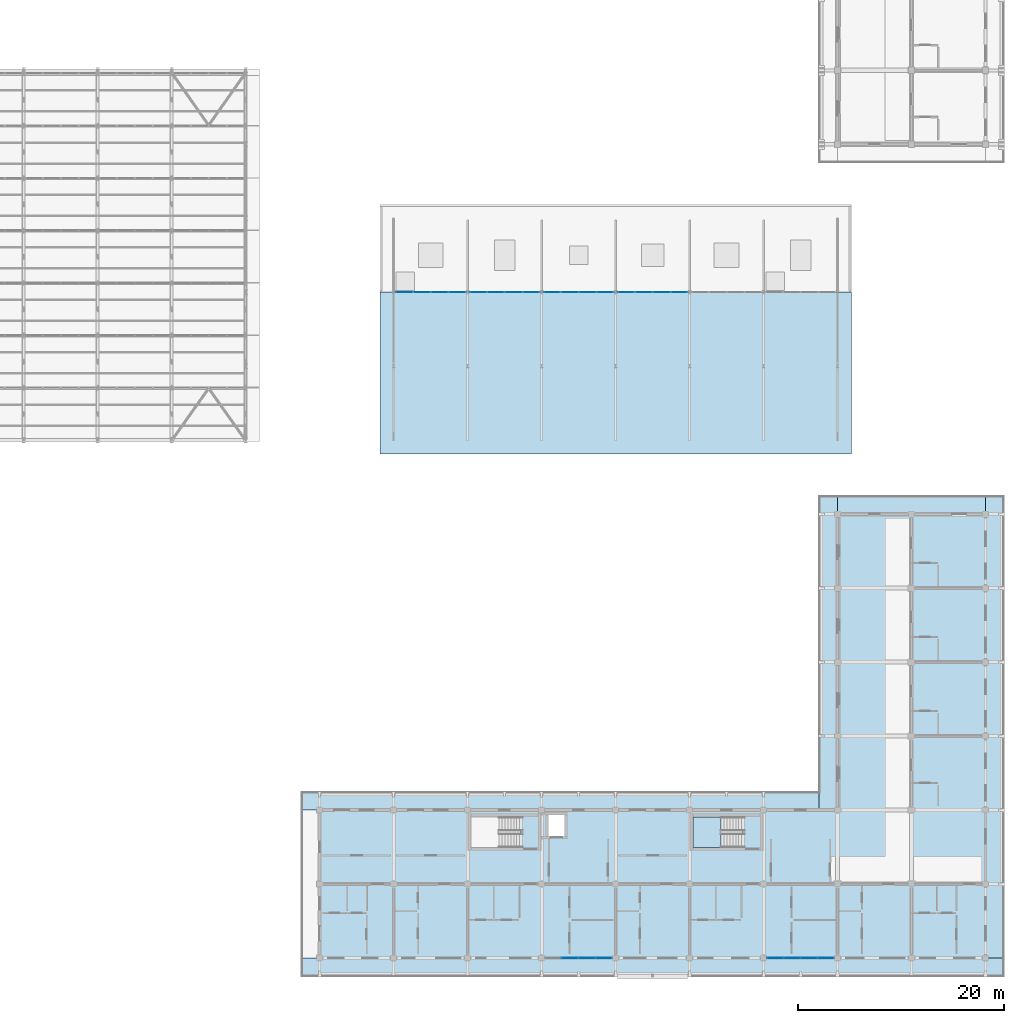
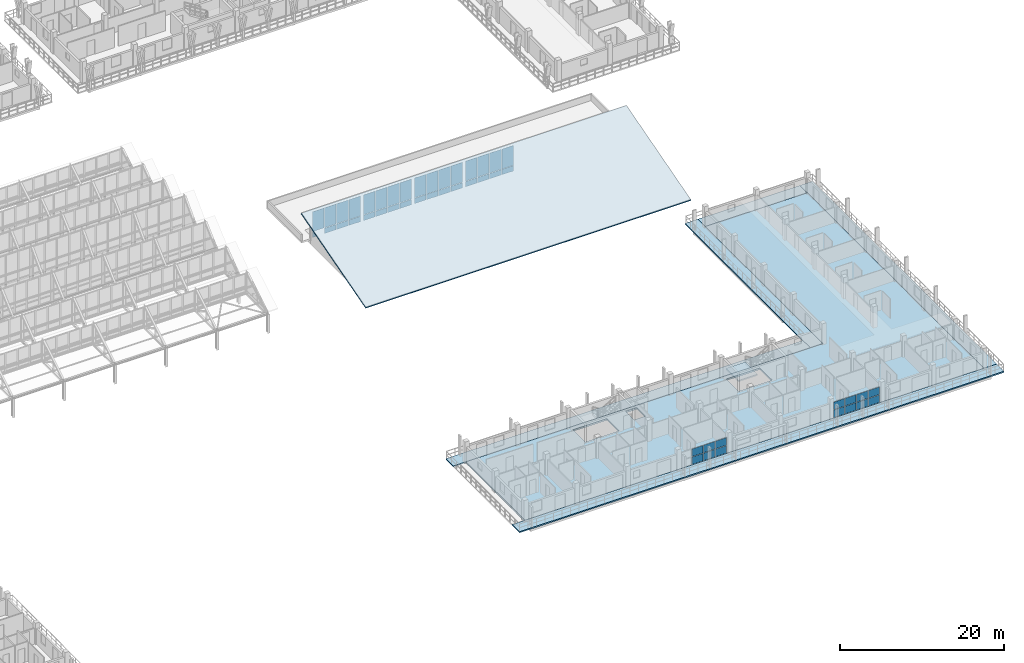
# One storey, part 105 of 157: 46 plates, 8 slabs, 7 elements without a shape of their own.
"""IFC4 building model written with IfcOpenShell, lengths in metres."""

from ifc_helpers import new_model, si_unit, direction, frame, origin, origin_2d, place, context, subcontext, project, spatial, polyline, rectangle, outline, extrude, material, layer, layer_set, type_object, element, aggregate, save


model = new_model("IFC4")

# Units and contexts
model_context = context("Model", 3, precision=1e-05, world=origin(), true_north=direction((0.0, 1.0)))
body_context = subcontext(model_context, "Body", "Model", "MODEL_VIEW")
ifc_project = project(units=[si_unit("LENGTHUNIT", "METRE"), si_unit("AREAUNIT", "SQUARE_METRE"), si_unit("VOLUMEUNIT", "CUBIC_METRE"), si_unit("PLANEANGLEUNIT", "RADIAN"), si_unit("MASSUNIT", "GRAM", prefix="KILO")], contexts=[model_context])

# Site, building, storey
site_placement = place(None, origin())
site = spatial("IfcSite", under=ifc_project, at=site_placement, CompositionType="ELEMENT")
building_placement = place(site_placement, origin())
building = spatial("IfcBuilding", under=site, at=building_placement, Name="Suanplinth Sawtooth Commons", CompositionType="ELEMENT")
storey_placement = place(building_placement, frame((0.0, 0.0, 9.0)))
storey = spatial("IfcBuildingStorey", under=building, at=storey_placement, Name="L02", CompositionType="ELEMENT", Elevation=9.0)

# Curtain wall, plates
ifc_material_1 = material(Name="Anodized aluminium and low-E glazing", Category="aluminium")
curtain_wall_type_1 = type_object("IfcCurtainWallType", Name="CW-06", PredefinedType="USERDEFINED", material=ifc_material_1)
curtain_wall_1_placement = place(storey_placement, origin())
curtain_wall_1 = element("IfcCurtainWall", 1, at=curtain_wall_1_placement, inside=storey, type_object=curtain_wall_type_1, Name="Curtain Wall CW-L02-C-LOUNGE-20", ObjectType="CURTAIN WALL", PredefinedType="USERDEFINED")
ifc_material_2 = material(Name="Tempered low-E double glazing", Category="glass")
ifc_layer_1 = layer(ifc_material_2, 0.028076171875, Name="Vision low-E insulated glazing unit 28mm")
ifc_layer_set_1 = layer_set([ifc_layer_1], Name="Tempered low-E double glazing")
plate_type_1 = type_object("IfcPlateType", Name="PL-05", PredefinedType="CURTAIN_PANEL", material=ifc_layer_set_1)
plate_1_placement = place(storey_placement, frame((146.77490234375, 0.0, 0.06494140625), z_axis=(0.0, 0.0, 1.0), x_axis=(1.0, 0.0, 0.0)))
plate_1 = element("IfcPlate", 2, at=plate_1_placement, type_object=plate_type_1, Name="CW-06 panel 2.1", PredefinedType="CURTAIN_PANEL", context=body_context, shape_type="SweptSolid", body=[
    extrude(rectangle(XDim=1.5849609375, YDim=0.028076171875, at=origin_2d()), origin(), (0.0, 0.0, 1.0), 1.12255859375),
])
plate_2_placement = place(storey_placement, frame((146.77490234375, 0.0, 1.25244140625), z_axis=(0.0, 0.0, 1.0), x_axis=(1.0, 0.0, 0.0)))
plate_2 = element("IfcPlate", 3, at=plate_2_placement, type_object=plate_type_1, Name="CW-06 panel 2.2", PredefinedType="CURTAIN_PANEL", context=body_context, shape_type="SweptSolid", body=[
    extrude(rectangle(XDim=1.5849609375, YDim=0.028076171875, at=origin_2d()), origin(), (0.0, 0.0, 1.0), 1.12255859375),
])
plate_3_placement = place(storey_placement, frame((148.425048828125, 0.0, 0.06494140625), z_axis=(0.0, 0.0, 1.0), x_axis=(1.0, 0.0, 0.0)))
plate_3 = element("IfcPlate", 4, at=plate_3_placement, type_object=plate_type_1, Name="CW-06 panel 3.1", PredefinedType="CURTAIN_PANEL", context=body_context, shape_type="SweptSolid", body=[
    extrude(rectangle(XDim=1.5849609375, YDim=0.028076171875, at=origin_2d()), origin(), (0.0, 0.0, 1.0), 1.12255859375),
])
plate_4_placement = place(storey_placement, frame((148.425048828125, 0.0, 1.25244140625), z_axis=(0.0, 0.0, 1.0), x_axis=(1.0, 0.0, 0.0)))
plate_4 = element("IfcPlate", 5, at=plate_4_placement, type_object=plate_type_1, Name="CW-06 panel 3.2", PredefinedType="CURTAIN_PANEL", context=body_context, shape_type="SweptSolid", body=[
    extrude(rectangle(XDim=1.5849609375, YDim=0.028076171875, at=origin_2d()), origin(), (0.0, 0.0, 1.0), 1.12255859375),
])
plate_5_placement = place(storey_placement, frame((150.058837890625, 0.0, 0.06494140625), z_axis=(0.0, 0.0, 1.0), x_axis=(1.0, 0.0, 0.0)))
plate_5 = element("IfcPlate", 6, at=plate_5_placement, type_object=plate_type_1, Name="CW-06 panel 4.1", PredefinedType="CURTAIN_PANEL", context=body_context, shape_type="SweptSolid", body=[
    extrude(rectangle(XDim=1.552490234375, YDim=0.028076171875, at=origin_2d()), origin(), (0.0, 0.0, 1.0), 1.12255859375),
])
plate_6_placement = place(storey_placement, frame((150.058837890625, 0.0, 1.25244140625), z_axis=(0.0, 0.0, 1.0), x_axis=(1.0, 0.0, 0.0)))
plate_6 = element("IfcPlate", 7, at=plate_6_placement, type_object=plate_type_1, Name="CW-06 panel 4.2", PredefinedType="CURTAIN_PANEL", context=body_context, shape_type="SweptSolid", body=[
    extrude(rectangle(XDim=1.552490234375, YDim=0.028076171875, at=origin_2d()), origin(), (0.0, 0.0, 1.0), 1.12255859375),
])
aggregate(curtain_wall_1, [plate_1, plate_2, plate_3, plate_4, plate_5, plate_6])

curtain_wall_2_placement = place(storey_placement, origin())
curtain_wall_2 = element("IfcCurtainWall", 8, at=curtain_wall_2_placement, inside=storey, type_object=curtain_wall_type_1, Name="Curtain Wall CW-L02-C-LOUNGE-23", ObjectType="CURTAIN WALL", PredefinedType="USERDEFINED")
plate_7_placement = place(storey_placement, frame((166.7412109375, 0.0, 0.06494140625), z_axis=(0.0, 0.0, 1.0), x_axis=(1.0, 0.0, 0.0)))
plate_7 = element("IfcPlate", 9, at=plate_7_placement, type_object=plate_type_1, Name="CW-06 panel 1.1", PredefinedType="CURTAIN_PANEL", context=body_context, shape_type="SweptSolid", body=[
    extrude(rectangle(XDim=1.552490234375, YDim=0.028076171875, at=origin_2d()), origin(), (0.0, 0.0, 1.0), 1.12255859375),
])
plate_8_placement = place(storey_placement, frame((166.7412109375, 0.0, 1.25244140625), z_axis=(0.0, 0.0, 1.0), x_axis=(1.0, 0.0, 0.0)))
plate_8 = element("IfcPlate", 10, at=plate_8_placement, type_object=plate_type_1, Name="CW-06 panel 1.2", PredefinedType="CURTAIN_PANEL", context=body_context, shape_type="SweptSolid", body=[
    extrude(rectangle(XDim=1.552490234375, YDim=0.028076171875, at=origin_2d()), origin(), (0.0, 0.0, 1.0), 1.12255859375),
])
plate_9_placement = place(storey_placement, frame((168.375, 0.0, 0.06494140625), z_axis=(0.0, 0.0, 1.0), x_axis=(1.0, 0.0, 0.0)))
plate_9 = element("IfcPlate", 11, at=plate_9_placement, type_object=plate_type_1, Name="CW-06 panel 2.1", PredefinedType="CURTAIN_PANEL", context=body_context, shape_type="SweptSolid", body=[
    extrude(rectangle(XDim=1.5849609375, YDim=0.028076171875, at=origin_2d()), origin(), (0.0, 0.0, 1.0), 1.12255859375),
])
plate_10_placement = place(storey_placement, frame((168.375, 0.0, 1.25244140625), z_axis=(0.0, 0.0, 1.0), x_axis=(1.0, 0.0, 0.0)))
plate_10 = element("IfcPlate", 12, at=plate_10_placement, type_object=plate_type_1, Name="CW-06 panel 2.2", PredefinedType="CURTAIN_PANEL", context=body_context, shape_type="SweptSolid", body=[
    extrude(rectangle(XDim=1.5849609375, YDim=0.028076171875, at=origin_2d()), origin(), (0.0, 0.0, 1.0), 1.12255859375),
])
plate_11_placement = place(storey_placement, frame((170.02490234375, 0.0, 0.06494140625), z_axis=(0.0, 0.0, 1.0), x_axis=(1.0, 0.0, 0.0)))
plate_11 = element("IfcPlate", 13, at=plate_11_placement, type_object=plate_type_1, Name="CW-06 panel 3.1", PredefinedType="CURTAIN_PANEL", context=body_context, shape_type="SweptSolid", body=[
    extrude(rectangle(XDim=1.5849609375, YDim=0.028076171875, at=origin_2d()), origin(), (0.0, 0.0, 1.0), 1.12255859375),
])
plate_12_placement = place(storey_placement, frame((170.02490234375, 0.0, 1.25244140625), z_axis=(0.0, 0.0, 1.0), x_axis=(1.0, 0.0, 0.0)))
plate_12 = element("IfcPlate", 14, at=plate_12_placement, type_object=plate_type_1, Name="CW-06 panel 3.2", PredefinedType="CURTAIN_PANEL", context=body_context, shape_type="SweptSolid", body=[
    extrude(rectangle(XDim=1.5849609375, YDim=0.028076171875, at=origin_2d()), origin(), (0.0, 0.0, 1.0), 1.12255859375),
])
plate_13_placement = place(storey_placement, frame((171.65869140625, 0.0, 0.06494140625), z_axis=(0.0, 0.0, 1.0), x_axis=(1.0, 0.0, 0.0)))
plate_13 = element("IfcPlate", 15, at=plate_13_placement, type_object=plate_type_1, Name="CW-06 panel 4.1", PredefinedType="CURTAIN_PANEL", context=body_context, shape_type="SweptSolid", body=[
    extrude(rectangle(XDim=1.552490234375, YDim=0.028076171875, at=origin_2d()), origin(), (0.0, 0.0, 1.0), 1.12255859375),
])
plate_14_placement = place(storey_placement, frame((171.65869140625, 0.0, 1.25244140625), z_axis=(0.0, 0.0, 1.0), x_axis=(1.0, 0.0, 0.0)))
plate_14 = element("IfcPlate", 16, at=plate_14_placement, type_object=plate_type_1, Name="CW-06 panel 4.2", PredefinedType="CURTAIN_PANEL", context=body_context, shape_type="SweptSolid", body=[
    extrude(rectangle(XDim=1.552490234375, YDim=0.028076171875, at=origin_2d()), origin(), (0.0, 0.0, 1.0), 1.12255859375),
])
aggregate(curtain_wall_2, [plate_7, plate_8, plate_9, plate_10, plate_11, plate_12, plate_13, plate_14])

curtain_wall_type_2 = type_object("IfcCurtainWallType", Name="CW-03", PredefinedType="USERDEFINED", material=ifc_material_1)
curtain_wall_3_placement = place(storey_placement, origin())
curtain_wall_3 = element("IfcCurtainWall", 17, at=curtain_wall_3_placement, inside=storey, type_object=curtain_wall_type_2, Name="Curtain Wall CW-NURS-CLER-18", ObjectType="CURTAIN WALL", PredefinedType="USERDEFINED")
ifc_material_3 = material(Name="Diffused north-light laminated glazing", Category="glass")
ifc_layer_2 = layer(ifc_material_3, 0.02587890625, Name="Sawtooth north-light diffused glazing panel 26mm")
ifc_layer_set_2 = layer_set([ifc_layer_2], Name="Diffused north-light laminated glazing")
plate_type_2 = type_object("IfcPlateType", Name="PL-07", PredefinedType="CURTAIN_PANEL", material=ifc_layer_set_2)
plate_15_placement = place(storey_placement, frame((130.621337890625, 64.800048828125, 0.30517578125), z_axis=(0.0, 0.0, 1.0), x_axis=(1.0, 0.0, 0.0)))
plate_15 = element("IfcPlate", 18, at=plate_15_placement, type_object=plate_type_2, Name="CW-03 panel 1.1", PredefinedType="CURTAIN_PANEL", context=body_context, shape_type="SweptSolid", body=[
    extrude(rectangle(XDim=1.632568359375, YDim=0.02587890625, at=origin_2d()), origin(), (0.0, 0.0, 1.0), 0.802490234375),
])
plate_16_placement = place(storey_placement, frame((130.621337890625, 64.800048828125, 1.172607421875), z_axis=(0.0, 0.0, 1.0), x_axis=(1.0, 0.0, 0.0)))
plate_16 = element("IfcPlate", 19, at=plate_16_placement, type_object=plate_type_2, Name="CW-03 panel 1.2", PredefinedType="CURTAIN_PANEL", context=body_context, shape_type="SweptSolid", body=[
    extrude(rectangle(XDim=1.632568359375, YDim=0.02587890625, at=origin_2d()), origin(), (0.0, 0.0, 1.0), 2.96240234375),
])
plate_17_placement = place(storey_placement, frame((132.3349609375, 64.800048828125, 0.30517578125), z_axis=(0.0, 0.0, 1.0), x_axis=(1.0, 0.0, 0.0)))
plate_17 = element("IfcPlate", 20, at=plate_17_placement, type_object=plate_type_2, Name="CW-03 panel 2.1", PredefinedType="CURTAIN_PANEL", context=body_context, shape_type="SweptSolid", body=[
    extrude(rectangle(XDim=1.6650390625, YDim=0.02587890625, at=origin_2d()), origin(), (0.0, 0.0, 1.0), 0.802490234375),
])
plate_18_placement = place(storey_placement, frame((132.3349609375, 64.800048828125, 1.172607421875), z_axis=(0.0, 0.0, 1.0), x_axis=(1.0, 0.0, 0.0)))
plate_18 = element("IfcPlate", 21, at=plate_18_placement, type_object=plate_type_2, Name="CW-03 panel 2.2", PredefinedType="CURTAIN_PANEL", context=body_context, shape_type="SweptSolid", body=[
    extrude(rectangle(XDim=1.6650390625, YDim=0.02587890625, at=origin_2d()), origin(), (0.0, 0.0, 1.0), 2.96240234375),
])
plate_19_placement = place(storey_placement, frame((134.06494140625, 64.800048828125, 0.30517578125), z_axis=(0.0, 0.0, 1.0), x_axis=(1.0, 0.0, 0.0)))
plate_19 = element("IfcPlate", 22, at=plate_19_placement, type_object=plate_type_2, Name="CW-03 panel 3.1", PredefinedType="CURTAIN_PANEL", context=body_context, shape_type="SweptSolid", body=[
    extrude(rectangle(XDim=1.6650390625, YDim=0.02587890625, at=origin_2d()), origin(), (0.0, 0.0, 1.0), 0.802490234375),
])
plate_20_placement = place(storey_placement, frame((134.06494140625, 64.800048828125, 1.172607421875), z_axis=(0.0, 0.0, 1.0), x_axis=(1.0, 0.0, 0.0)))
plate_20 = element("IfcPlate", 23, at=plate_20_placement, type_object=plate_type_2, Name="CW-03 panel 3.2", PredefinedType="CURTAIN_PANEL", context=body_context, shape_type="SweptSolid", body=[
    extrude(rectangle(XDim=1.6650390625, YDim=0.02587890625, at=origin_2d()), origin(), (0.0, 0.0, 1.0), 2.96240234375),
])
plate_21_placement = place(storey_placement, frame((135.77880859375, 64.800048828125, 0.30517578125), z_axis=(0.0, 0.0, 1.0), x_axis=(1.0, 0.0, 0.0)))
plate_21 = element("IfcPlate", 24, at=plate_21_placement, type_object=plate_type_2, Name="CW-03 panel 4.1", PredefinedType="CURTAIN_PANEL", context=body_context, shape_type="SweptSolid", body=[
    extrude(rectangle(XDim=1.632568359375, YDim=0.02587890625, at=origin_2d()), origin(), (0.0, 0.0, 1.0), 0.802490234375),
])
plate_22_placement = place(storey_placement, frame((135.77880859375, 64.800048828125, 1.172607421875), z_axis=(0.0, 0.0, 1.0), x_axis=(1.0, 0.0, 0.0)))
plate_22 = element("IfcPlate", 25, at=plate_22_placement, type_object=plate_type_2, Name="CW-03 panel 4.2", PredefinedType="CURTAIN_PANEL", context=body_context, shape_type="SweptSolid", body=[
    extrude(rectangle(XDim=1.632568359375, YDim=0.02587890625, at=origin_2d()), origin(), (0.0, 0.0, 1.0), 2.96240234375),
])
aggregate(curtain_wall_3, [plate_15, plate_16, plate_17, plate_18, plate_19, plate_20, plate_21, plate_22])

curtain_wall_4_placement = place(storey_placement, origin())
curtain_wall_4 = element("IfcCurtainWall", 26, at=curtain_wall_4_placement, inside=storey, type_object=curtain_wall_type_2, Name="Curtain Wall CW-NURS-CLER-19", ObjectType="CURTAIN WALL", PredefinedType="USERDEFINED")
plate_23_placement = place(storey_placement, frame((137.8212890625, 64.800048828125, 0.30517578125), z_axis=(0.0, 0.0, 1.0), x_axis=(1.0, 0.0, 0.0)))
plate_23 = element("IfcPlate", 27, at=plate_23_placement, type_object=plate_type_2, Name="CW-03 panel 1.1", PredefinedType="CURTAIN_PANEL", context=body_context, shape_type="SweptSolid", body=[
    extrude(rectangle(XDim=1.632568359375, YDim=0.02587890625, at=origin_2d()), origin(), (0.0, 0.0, 1.0), 0.802490234375),
])
plate_24_placement = place(storey_placement, frame((137.8212890625, 64.800048828125, 1.172607421875), z_axis=(0.0, 0.0, 1.0), x_axis=(1.0, 0.0, 0.0)))
plate_24 = element("IfcPlate", 28, at=plate_24_placement, type_object=plate_type_2, Name="CW-03 panel 1.2", PredefinedType="CURTAIN_PANEL", context=body_context, shape_type="SweptSolid", body=[
    extrude(rectangle(XDim=1.632568359375, YDim=0.02587890625, at=origin_2d()), origin(), (0.0, 0.0, 1.0), 2.96240234375),
])
plate_25_placement = place(storey_placement, frame((139.534912109375, 64.800048828125, 0.30517578125), z_axis=(0.0, 0.0, 1.0), x_axis=(1.0, 0.0, 0.0)))
plate_25 = element("IfcPlate", 29, at=plate_25_placement, type_object=plate_type_2, Name="CW-03 panel 2.1", PredefinedType="CURTAIN_PANEL", context=body_context, shape_type="SweptSolid", body=[
    extrude(rectangle(XDim=1.6650390625, YDim=0.02587890625, at=origin_2d()), origin(), (0.0, 0.0, 1.0), 0.802490234375),
])
plate_26_placement = place(storey_placement, frame((139.534912109375, 64.800048828125, 1.172607421875), z_axis=(0.0, 0.0, 1.0), x_axis=(1.0, 0.0, 0.0)))
plate_26 = element("IfcPlate", 30, at=plate_26_placement, type_object=plate_type_2, Name="CW-03 panel 2.2", PredefinedType="CURTAIN_PANEL", context=body_context, shape_type="SweptSolid", body=[
    extrude(rectangle(XDim=1.6650390625, YDim=0.02587890625, at=origin_2d()), origin(), (0.0, 0.0, 1.0), 2.96240234375),
])
plate_27_placement = place(storey_placement, frame((141.264892578125, 64.800048828125, 0.30517578125), z_axis=(0.0, 0.0, 1.0), x_axis=(1.0, 0.0, 0.0)))
plate_27 = element("IfcPlate", 31, at=plate_27_placement, type_object=plate_type_2, Name="CW-03 panel 3.1", PredefinedType="CURTAIN_PANEL", context=body_context, shape_type="SweptSolid", body=[
    extrude(rectangle(XDim=1.6650390625, YDim=0.02587890625, at=origin_2d()), origin(), (0.0, 0.0, 1.0), 0.802490234375),
])
plate_28_placement = place(storey_placement, frame((141.264892578125, 64.800048828125, 1.172607421875), z_axis=(0.0, 0.0, 1.0), x_axis=(1.0, 0.0, 0.0)))
plate_28 = element("IfcPlate", 32, at=plate_28_placement, type_object=plate_type_2, Name="CW-03 panel 3.2", PredefinedType="CURTAIN_PANEL", context=body_context, shape_type="SweptSolid", body=[
    extrude(rectangle(XDim=1.6650390625, YDim=0.02587890625, at=origin_2d()), origin(), (0.0, 0.0, 1.0), 2.96240234375),
])
plate_29_placement = place(storey_placement, frame((142.978759765625, 64.800048828125, 0.30517578125), z_axis=(0.0, 0.0, 1.0), x_axis=(1.0, 0.0, 0.0)))
plate_29 = element("IfcPlate", 33, at=plate_29_placement, type_object=plate_type_2, Name="CW-03 panel 4.1", PredefinedType="CURTAIN_PANEL", context=body_context, shape_type="SweptSolid", body=[
    extrude(rectangle(XDim=1.632568359375, YDim=0.02587890625, at=origin_2d()), origin(), (0.0, 0.0, 1.0), 0.802490234375),
])
plate_30_placement = place(storey_placement, frame((142.978759765625, 64.800048828125, 1.172607421875), z_axis=(0.0, 0.0, 1.0), x_axis=(1.0, 0.0, 0.0)))
plate_30 = element("IfcPlate", 34, at=plate_30_placement, type_object=plate_type_2, Name="CW-03 panel 4.2", PredefinedType="CURTAIN_PANEL", context=body_context, shape_type="SweptSolid", body=[
    extrude(rectangle(XDim=1.632568359375, YDim=0.02587890625, at=origin_2d()), origin(), (0.0, 0.0, 1.0), 2.96240234375),
])
aggregate(curtain_wall_4, [plate_23, plate_24, plate_25, plate_26, plate_27, plate_28, plate_29, plate_30])

curtain_wall_5_placement = place(storey_placement, origin())
curtain_wall_5 = element("IfcCurtainWall", 35, at=curtain_wall_5_placement, inside=storey, type_object=curtain_wall_type_2, Name="Curtain Wall CW-NURS-CLER-20", ObjectType="CURTAIN WALL", PredefinedType="USERDEFINED")
plate_31_placement = place(storey_placement, frame((145.021240234375, 64.800048828125, 0.30517578125), z_axis=(0.0, 0.0, 1.0), x_axis=(1.0, 0.0, 0.0)))
plate_31 = element("IfcPlate", 36, at=plate_31_placement, type_object=plate_type_2, Name="CW-03 panel 1.1", PredefinedType="CURTAIN_PANEL", context=body_context, shape_type="SweptSolid", body=[
    extrude(rectangle(XDim=1.632568359375, YDim=0.02587890625, at=origin_2d()), origin(), (0.0, 0.0, 1.0), 0.802490234375),
])
plate_32_placement = place(storey_placement, frame((145.021240234375, 64.800048828125, 1.172607421875), z_axis=(0.0, 0.0, 1.0), x_axis=(1.0, 0.0, 0.0)))
plate_32 = element("IfcPlate", 37, at=plate_32_placement, type_object=plate_type_2, Name="CW-03 panel 1.2", PredefinedType="CURTAIN_PANEL", context=body_context, shape_type="SweptSolid", body=[
    extrude(rectangle(XDim=1.632568359375, YDim=0.02587890625, at=origin_2d()), origin(), (0.0, 0.0, 1.0), 2.96240234375),
])
plate_33_placement = place(storey_placement, frame((146.735107421875, 64.800048828125, 0.30517578125), z_axis=(0.0, 0.0, 1.0), x_axis=(1.0, 0.0, 0.0)))
plate_33 = element("IfcPlate", 38, at=plate_33_placement, type_object=plate_type_2, Name="CW-03 panel 2.1", PredefinedType="CURTAIN_PANEL", context=body_context, shape_type="SweptSolid", body=[
    extrude(rectangle(XDim=1.6650390625, YDim=0.02587890625, at=origin_2d()), origin(), (0.0, 0.0, 1.0), 0.802490234375),
])
plate_34_placement = place(storey_placement, frame((146.735107421875, 64.800048828125, 1.172607421875), z_axis=(0.0, 0.0, 1.0), x_axis=(1.0, 0.0, 0.0)))
plate_34 = element("IfcPlate", 39, at=plate_34_placement, type_object=plate_type_2, Name="CW-03 panel 2.2", PredefinedType="CURTAIN_PANEL", context=body_context, shape_type="SweptSolid", body=[
    extrude(rectangle(XDim=1.6650390625, YDim=0.02587890625, at=origin_2d()), origin(), (0.0, 0.0, 1.0), 2.96240234375),
])
plate_35_placement = place(storey_placement, frame((148.465087890625, 64.800048828125, 0.30517578125), z_axis=(0.0, 0.0, 1.0), x_axis=(1.0, 0.0, 0.0)))
plate_35 = element("IfcPlate", 40, at=plate_35_placement, type_object=plate_type_2, Name="CW-03 panel 3.1", PredefinedType="CURTAIN_PANEL", context=body_context, shape_type="SweptSolid", body=[
    extrude(rectangle(XDim=1.6650390625, YDim=0.02587890625, at=origin_2d()), origin(), (0.0, 0.0, 1.0), 0.802490234375),
])
plate_36_placement = place(storey_placement, frame((148.465087890625, 64.800048828125, 1.172607421875), z_axis=(0.0, 0.0, 1.0), x_axis=(1.0, 0.0, 0.0)))
plate_36 = element("IfcPlate", 41, at=plate_36_placement, type_object=plate_type_2, Name="CW-03 panel 3.2", PredefinedType="CURTAIN_PANEL", context=body_context, shape_type="SweptSolid", body=[
    extrude(rectangle(XDim=1.6650390625, YDim=0.02587890625, at=origin_2d()), origin(), (0.0, 0.0, 1.0), 2.96240234375),
])
plate_37_placement = place(storey_placement, frame((150.1787109375, 64.800048828125, 0.30517578125), z_axis=(0.0, 0.0, 1.0), x_axis=(1.0, 0.0, 0.0)))
plate_37 = element("IfcPlate", 42, at=plate_37_placement, type_object=plate_type_2, Name="CW-03 panel 4.1", PredefinedType="CURTAIN_PANEL", context=body_context, shape_type="SweptSolid", body=[
    extrude(rectangle(XDim=1.632568359375, YDim=0.02587890625, at=origin_2d()), origin(), (0.0, 0.0, 1.0), 0.802490234375),
])
plate_38_placement = place(storey_placement, frame((150.1787109375, 64.800048828125, 1.172607421875), z_axis=(0.0, 0.0, 1.0), x_axis=(1.0, 0.0, 0.0)))
plate_38 = element("IfcPlate", 43, at=plate_38_placement, type_object=plate_type_2, Name="CW-03 panel 4.2", PredefinedType="CURTAIN_PANEL", context=body_context, shape_type="SweptSolid", body=[
    extrude(rectangle(XDim=1.632568359375, YDim=0.02587890625, at=origin_2d()), origin(), (0.0, 0.0, 1.0), 2.96240234375),
])
aggregate(curtain_wall_5, [plate_31, plate_32, plate_33, plate_34, plate_35, plate_36, plate_37, plate_38])

curtain_wall_6_placement = place(storey_placement, origin())
curtain_wall_6 = element("IfcCurtainWall", 44, at=curtain_wall_6_placement, inside=storey, type_object=curtain_wall_type_2, Name="Curtain Wall CW-NURS-CLER-21", ObjectType="CURTAIN WALL", PredefinedType="USERDEFINED")
plate_39_placement = place(storey_placement, frame((152.22119140625, 64.800048828125, 0.30517578125), z_axis=(0.0, 0.0, 1.0), x_axis=(1.0, 0.0, 0.0)))
plate_39 = element("IfcPlate", 45, at=plate_39_placement, type_object=plate_type_2, Name="CW-03 panel 1.1", PredefinedType="CURTAIN_PANEL", context=body_context, shape_type="SweptSolid", body=[
    extrude(rectangle(XDim=1.632568359375, YDim=0.02587890625, at=origin_2d()), origin(), (0.0, 0.0, 1.0), 0.802490234375),
])
plate_40_placement = place(storey_placement, frame((152.22119140625, 64.800048828125, 1.172607421875), z_axis=(0.0, 0.0, 1.0), x_axis=(1.0, 0.0, 0.0)))
plate_40 = element("IfcPlate", 46, at=plate_40_placement, type_object=plate_type_2, Name="CW-03 panel 1.2", PredefinedType="CURTAIN_PANEL", context=body_context, shape_type="SweptSolid", body=[
    extrude(rectangle(XDim=1.632568359375, YDim=0.02587890625, at=origin_2d()), origin(), (0.0, 0.0, 1.0), 2.96240234375),
])
plate_41_placement = place(storey_placement, frame((153.93505859375, 64.800048828125, 0.30517578125), z_axis=(0.0, 0.0, 1.0), x_axis=(1.0, 0.0, 0.0)))
plate_41 = element("IfcPlate", 47, at=plate_41_placement, type_object=plate_type_2, Name="CW-03 panel 2.1", PredefinedType="CURTAIN_PANEL", context=body_context, shape_type="SweptSolid", body=[
    extrude(rectangle(XDim=1.6650390625, YDim=0.02587890625, at=origin_2d()), origin(), (0.0, 0.0, 1.0), 0.802490234375),
])
plate_42_placement = place(storey_placement, frame((153.93505859375, 64.800048828125, 1.172607421875), z_axis=(0.0, 0.0, 1.0), x_axis=(1.0, 0.0, 0.0)))
plate_42 = element("IfcPlate", 48, at=plate_42_placement, type_object=plate_type_2, Name="CW-03 panel 2.2", PredefinedType="CURTAIN_PANEL", context=body_context, shape_type="SweptSolid", body=[
    extrude(rectangle(XDim=1.6650390625, YDim=0.02587890625, at=origin_2d()), origin(), (0.0, 0.0, 1.0), 2.96240234375),
])
plate_43_placement = place(storey_placement, frame((155.6650390625, 64.800048828125, 0.30517578125), z_axis=(0.0, 0.0, 1.0), x_axis=(1.0, 0.0, 0.0)))
plate_43 = element("IfcPlate", 49, at=plate_43_placement, type_object=plate_type_2, Name="CW-03 panel 3.1", PredefinedType="CURTAIN_PANEL", context=body_context, shape_type="SweptSolid", body=[
    extrude(rectangle(XDim=1.6650390625, YDim=0.02587890625, at=origin_2d()), origin(), (0.0, 0.0, 1.0), 0.802490234375),
])
plate_44_placement = place(storey_placement, frame((155.6650390625, 64.800048828125, 1.172607421875), z_axis=(0.0, 0.0, 1.0), x_axis=(1.0, 0.0, 0.0)))
plate_44 = element("IfcPlate", 50, at=plate_44_placement, type_object=plate_type_2, Name="CW-03 panel 3.2", PredefinedType="CURTAIN_PANEL", context=body_context, shape_type="SweptSolid", body=[
    extrude(rectangle(XDim=1.6650390625, YDim=0.02587890625, at=origin_2d()), origin(), (0.0, 0.0, 1.0), 2.96240234375),
])
plate_45_placement = place(storey_placement, frame((157.378662109375, 64.800048828125, 0.30517578125), z_axis=(0.0, 0.0, 1.0), x_axis=(1.0, 0.0, 0.0)))
plate_45 = element("IfcPlate", 51, at=plate_45_placement, type_object=plate_type_2, Name="CW-03 panel 4.1", PredefinedType="CURTAIN_PANEL", context=body_context, shape_type="SweptSolid", body=[
    extrude(rectangle(XDim=1.632568359375, YDim=0.02587890625, at=origin_2d()), origin(), (0.0, 0.0, 1.0), 0.802490234375),
])
plate_46_placement = place(storey_placement, frame((157.378662109375, 64.800048828125, 1.172607421875), z_axis=(0.0, 0.0, 1.0), x_axis=(1.0, 0.0, 0.0)))
plate_46 = element("IfcPlate", 52, at=plate_46_placement, type_object=plate_type_2, Name="CW-03 panel 4.2", PredefinedType="CURTAIN_PANEL", context=body_context, shape_type="SweptSolid", body=[
    extrude(rectangle(XDim=1.632568359375, YDim=0.02587890625, at=origin_2d()), origin(), (0.0, 0.0, 1.0), 2.96240234375),
])
aggregate(curtain_wall_6, [plate_39, plate_40, plate_41, plate_42, plate_43, plate_44, plate_45, plate_46])

# Slabs
ifc_material_4 = material(Name="Precast concrete C40/50", Category="concrete")
ifc_layer_3 = layer(ifc_material_4, 0.179931640625, Name="Wrap-around cantilevered precast balcony slab 180mm")
ifc_layer_set_3 = layer_set([ifc_layer_3], Name="Precast concrete C40/50")
slab_type_1 = type_object("IfcSlabType", Name="S-BL01", PredefinedType="FLOOR", material=ifc_layer_set_3)
slab_1_placement = place(storey_placement, frame((0.0, 0.0, -0.179931640625)))
element("IfcSlab", 53, at=slab_1_placement, inside=storey, type_object=slab_type_1, Name="L02 Block C Wrap-Around Balcony S", PredefinedType="FLOOR", context=body_context, shape_type="SweptSolid", body=[
    extrude(outline(polyline([(189.0, 0.0), (189.0, -1.800048828125), (120.60009765625, -1.800048828125), (120.60009765625, 0.0), (189.0, 0.0)])), origin(), (0.0, 0.0, 1.0), 0.179931640625),
])
slab_2_placement = place(storey_placement, frame((0.0, 0.0, -0.179931640625)))
element("IfcSlab", 54, at=slab_2_placement, inside=storey, type_object=slab_type_1, Name="L02 Block C Wrap-Around Balcony E", PredefinedType="FLOOR", context=body_context, shape_type="SweptSolid", body=[
    extrude(outline(polyline([(187.199951171875, 45.0), (189.0, 45.0), (189.0, 0.0), (187.199951171875, 0.0), (187.199951171875, 45.0)])), origin(), (0.0, 0.0, 1.0), 0.179931640625),
])
slab_3_placement = place(storey_placement, frame((0.0, 0.0, -0.179931640625)))
element("IfcSlab", 55, at=slab_3_placement, inside=storey, type_object=slab_type_1, Name="L02 Block C Wrap-Around Balcony NEND", PredefinedType="FLOOR", context=body_context, shape_type="SweptSolid", body=[
    extrude(outline(polyline([(172.800048828125, 45.0), (187.199951171875, 45.0), (187.199951171875, 43.199951171875), (172.800048828125, 43.199951171875), (172.800048828125, 45.0)])), origin(), (0.0, 0.0, 1.0), 0.179931640625),
])
ifc_layer_4 = layer(ifc_material_4, 0.175048828125, Name="Courtyard cantilevered precast balcony slab 175mm")
ifc_layer_set_4 = layer_set([ifc_layer_4], Name="Precast concrete C40/50")
slab_type_2 = type_object("IfcSlabType", Name="S-BL02", PredefinedType="FLOOR", material=ifc_layer_set_4)
slab_4_placement = place(storey_placement, frame((0.0, 0.0, -0.175048828125)))
element("IfcSlab", 56, at=slab_4_placement, inside=storey, type_object=slab_type_2, Name="L02 Block C Wrap-Around Balcony NC", PredefinedType="FLOOR", context=body_context, shape_type="SweptSolid", body=[
    extrude(outline(polyline([(120.60009765625, 14.39990234375), (120.60009765625, 16.199951171875), (171.0, 16.199951171875), (171.0, 14.39990234375), (120.60009765625, 14.39990234375)])), origin(), (0.0, 0.0, 1.0), 0.175048828125),
])
slab_5_placement = place(storey_placement, frame((0.0, 0.0, -0.175048828125)))
element("IfcSlab", 57, at=slab_5_placement, inside=storey, type_object=slab_type_2, Name="L02 Block C Wrap-Around Balcony WC", PredefinedType="FLOOR", context=body_context, shape_type="SweptSolid", body=[
    extrude(outline(polyline([(172.800048828125, 14.39990234375), (171.0, 14.39990234375), (171.0, 45.0), (172.800048828125, 45.0), (172.800048828125, 14.39990234375)])), origin(), (0.0, 0.0, 1.0), 0.175048828125),
])
ifc_layer_5 = layer(ifc_material_4, 0.25, Name="Precast hollow-core + topping floor slab 250mm")
ifc_layer_set_5 = layer_set([ifc_layer_5], Name="Precast concrete C40/50")
slab_type_3 = type_object("IfcSlabType", Name="S-FL01", PredefinedType="FLOOR", material=ifc_layer_set_5)
slab_6_placement = place(storey_placement, frame((0.0, 0.0, -0.25)))
element("IfcSlab", 58, at=slab_6_placement, inside=storey, type_object=slab_type_3, Name="L02 Block C Structural Floor Plate", PredefinedType="FLOOR", context=body_context, shape_type="SweptSolid", body=[
    extrude(outline(polyline([(187.199951171875, 0.0), (122.39990234375, 0.0), (122.39990234375, 14.39990234375), (172.800048828125, 14.39990234375), (172.800048828125, 43.199951171875), (187.199951171875, 43.199951171875), (187.199951171875, 0.0)]), holes=[polyline([(137.14990234375, 10.75), (141.909912109375, 10.75), (141.909912109375, 13.75), (137.14990234375, 13.75), (137.14990234375, 10.75)]), polyline([(144.64990234375, 11.85009765625), (146.25, 11.85009765625), (146.25, 13.949951171875), (144.64990234375, 13.949951171875), (144.64990234375, 11.85009765625)]), polyline([(158.75, 10.75), (163.510009765625, 10.75), (163.510009765625, 13.75), (158.75, 13.75), (158.75, 10.75)])]), origin(), (0.0, 0.0, 1.0), 0.25),
])

# Stair, slab
ifc_material_5 = material(Name="Concrete C40/50", Category="concrete")
stair_type = type_object("IfcStairType", Name="ST-07", PredefinedType="USERDEFINED", material=ifc_material_5)
stair_placement = place(storey_placement, origin())
stair = element("IfcStair", 59, at=stair_placement, inside=storey, type_object=stair_type, Name="L02 Exit Stair ST-S2", ObjectType="TWO_RETURN_STAIR", PredefinedType="USERDEFINED")
ifc_layer_6 = layer(ifc_material_5, 0.199951171875, Name="Reinforced concrete stair and ramp landing slab 200mm")
ifc_layer_set_6 = layer_set([ifc_layer_6], Name="Concrete C40/50")
slab_type_4 = type_object("IfcSlabType", Name="S-LD01", PredefinedType="LANDING", material=ifc_layer_set_6)
slab_7_placement = place(storey_placement, frame((0.0, 0.0, 1.39990234375)))
slab_7 = element("IfcSlab", 60, at=slab_7_placement, type_object=slab_type_4, Name="ST-07 landing 1", PredefinedType="LANDING", context=body_context, shape_type="SweptSolid", body=[
    extrude(outline(polyline([(161.469970703125, 13.75), (158.75, 13.75), (158.75, 10.75), (161.469970703125, 10.75), (161.469970703125, 13.75)])), origin(), (0.0, 0.0, 1.0), 0.2001953125),
])
aggregate(stair, [slab_7])

# Slab
ifc_material_6 = material(Name="Concrete C35/45", Category="concrete")
ifc_layer_7 = layer(ifc_material_6, 0.179931640625, Name="Sawtooth & pavilion sloped composite roof deck 180mm")
ifc_layer_set_7 = layer_set([ifc_layer_7], Name="Concrete C35/45")
slab_type_5 = type_object("IfcSlabType", Name="S-RF02", PredefinedType="ROOF", material=ifc_layer_set_7)
slab_8_placement = place(storey_placement, frame((128.25, 49.050048828125, -0.030029296875), z_axis=(0.0, -0.275850493819, 0.961200554026), x_axis=(1.0, 0.0, 0.0)))
element("IfcSlab", 61, at=slab_8_placement, inside=storey, type_object=slab_type_5, Name="East Nursery 16-Deg Tropical Overhang Mono-Pitch Roof", PredefinedType="ROOF", context=body_context, shape_type="SweptSolid", body=[
    extrude(outline(polyline([(0.0, 0.0), (45.89990234375, 0.0), (45.89990234375, 16.38575834567572), (0.0, 16.38575834567572), (0.0, 0.0)])), origin(), (0.0, 0.0, -1.0), 0.179931640625),
])

save(model, "model.ifc")
